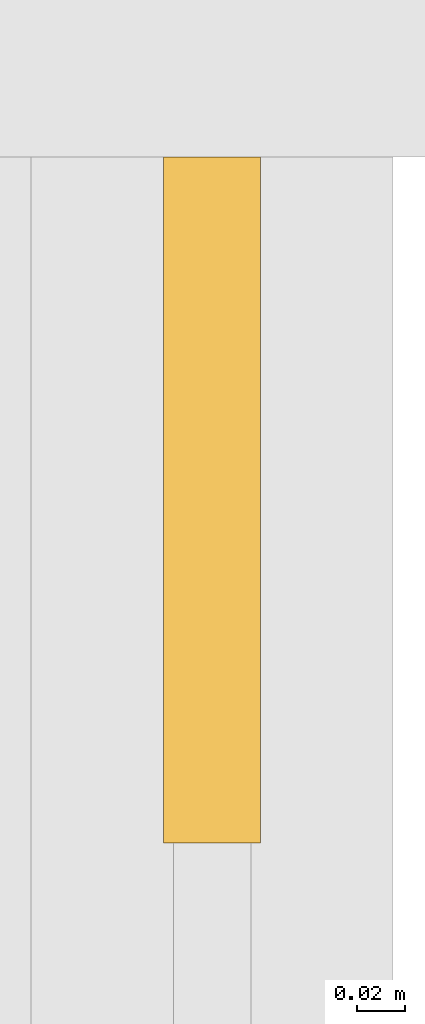
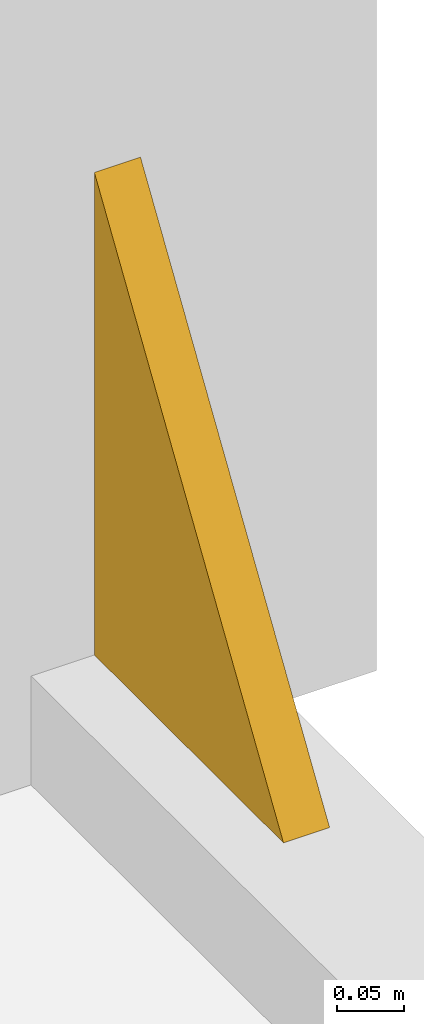
# One storey, part 19 of 21: 1 covering.
"""IFC4 building model written with IfcOpenShell, lengths in metres."""

from ifc_helpers import new_model, si_unit, direction, frame, origin, place, context, subcontext, project, spatial, polyline, outline, extrude, material, layer, layer_set, type_object, element, save


model = new_model("IFC4")

# Units and contexts
model_context = context("Model", 3, precision=1e-05, world=origin(), true_north=direction((0.0, 1.0)))
body_context = subcontext(model_context, "Body", "Model", "MODEL_VIEW")
ifc_project = project(units=[si_unit("LENGTHUNIT", "METRE"), si_unit("AREAUNIT", "SQUARE_METRE"), si_unit("VOLUMEUNIT", "CUBIC_METRE"), si_unit("PLANEANGLEUNIT", "RADIAN"), si_unit("MASSUNIT", "GRAM", prefix="KILO")], contexts=[model_context])

# Site, building, storey
site_placement = place(None, origin())
site = spatial("IfcSite", under=ifc_project, at=site_placement, CompositionType="ELEMENT")
building_placement = place(site_placement, origin())
building = spatial("IfcBuilding", under=site, at=building_placement, Name="Malebo Sky Hospital", CompositionType="ELEMENT")
storey_placement = place(building_placement, frame((0.0, 0.0, 229.0)))
storey = spatial("IfcBuildingStorey", under=building, at=storey_placement, Name="L55", CompositionType="ELEMENT", Elevation=229.0)

# Covering
ifc_material = material(Name="Anodised aluminium, natural silver insulated infill panel", Category="aluminium")
ifc_layer = layer(ifc_material, 0.0400390625)
ifc_layer_set = layer_set([ifc_layer], Name="BRACE INFILL PANEL 40")
covering_type = type_object("IfcCoveringType", Name="BRACE INFILL PANEL 40", PredefinedType="CLADDING", material=ifc_layer_set)
covering_placement = place(storey_placement, frame((82.574951171875, 52.8203125, 0.10009765625), z_axis=(0.0, 0.0, 1.0), x_axis=(0.0, -1.0, 0.0)))
element("IfcCovering", 1, at=covering_placement, inside=storey, type_object=covering_type, Name="Brace infill panel 11.1", PredefinedType="CLADDING", context=body_context, shape_type="SweptSolid", body=[
    extrude(outline(polyline([(-0.14208984375, 0.0), (0.14208984375, 0.0), (-0.14208984375, 0.442626953125), (-0.14208984375, 0.0)])), frame((0.0, 0.02001953125, 0.0), z_axis=(0.0, -1.0, 0.0), x_axis=(1.0, 0.0, 0.0)), (0.0, 0.0, 1.0), 0.0400390625),
])

save(model, "model.ifc")
